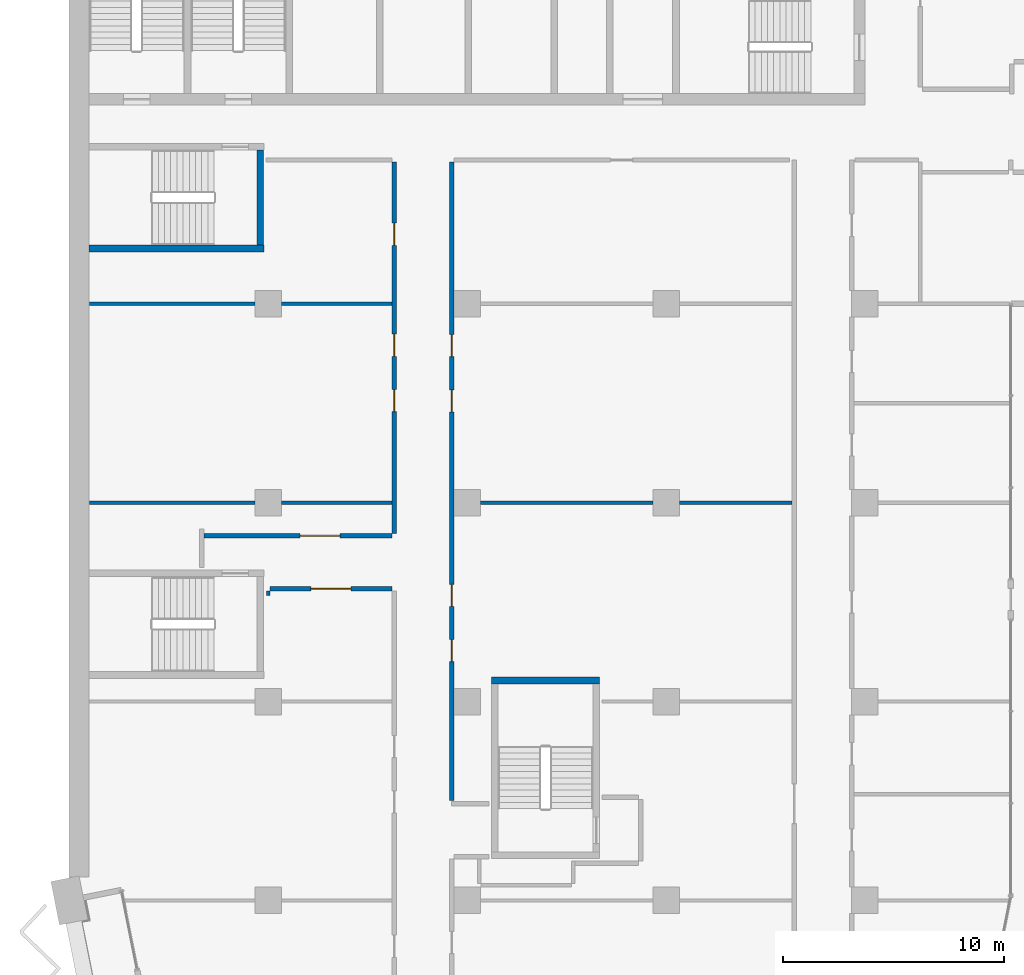
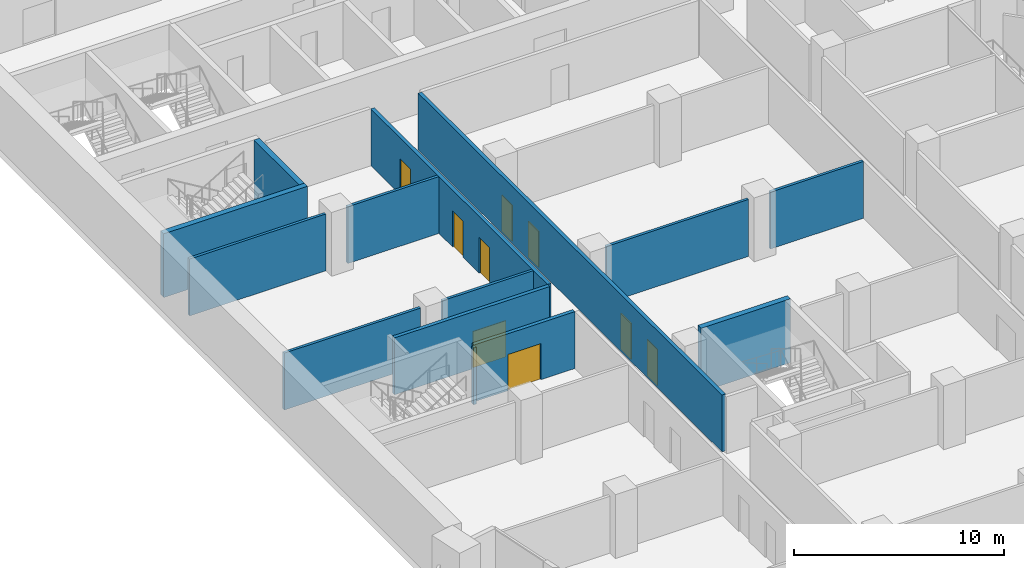
# One storey, part 10 of 22: 14 walls, 9 doors, 9 openings.
"""IFC4 building model written with IfcOpenShell, lengths in metres."""

import ifcopenshell
import ifcopenshell.guid

model = None  # the IFC model being written
_history = None  # IfcOwnerHistory: only IFC2X3 demands one
_inside = {}  # id of a spatial element -> (the spatial element, [elements in it])
_under = {}  # id of a project, library or spatial element -> (it, [spatial elements below it])
_declared = {}  # id of a project -> (the project, [libraries it declares])
_typed = {}  # id of a type object -> (the type object, [elements of that type])
_made_of = {}  # id of a material, layer set ... -> (it, [elements and type objects made of it])


def new_model(schema):
    """Start an empty IFC model of exactly this schema.

    Asked for "IFC4X3", IfcOpenShell would pick the latest addendum, in which some entities
    have other attributes; the version numbers below select the first issue.
    IFC2X3 requires an IfcOwnerHistory on every rooted entity: one is made here for all.
    """
    global model, _history
    if schema == "IFC4X3":
        model = ifcopenshell.file(schema_version=(4, 3, 0, 0))
    else:
        model = ifcopenshell.file(schema=schema)
    _inside.clear()
    _under.clear()
    _declared.clear()
    _typed.clear()
    _made_of.clear()
    _history = None
    if model.schema == "IFC2X3":
        org = make("IfcOrganization", Name="unknown")
        user = make(
            "IfcPersonAndOrganization",
            ThePerson=make("IfcPerson", FamilyName="unknown"),
            TheOrganization=org,
        )
        app = make(
            "IfcApplication",
            ApplicationDeveloper=org,
            Version="unknown",
            ApplicationFullName="unknown",
            ApplicationIdentifier="unknown",
        )
        _history = make(
            "IfcOwnerHistory",
            OwningUser=user,
            OwningApplication=app,
            ChangeAction="ADDED",
            CreationDate=0,
        )
    return model


def make(cls, **values):
    """One entity of the class cls with the attributes given. An attribute that is None is left unset."""
    return model.create_entity(
        cls, **{name: value for name, value in values.items() if value is not None}
    )


def rooted(cls, **values):
    """An entity with a GlobalId (a new one), such as an element, a storey or a relation."""
    return make(cls, GlobalId=ifcopenshell.guid.new(), OwnerHistory=_history, **values)


def si_unit(unit_type, name, prefix=None):
    """IfcSIUnit, for example si_unit("LENGTHUNIT", "METRE", prefix="MILLI")."""
    return make("IfcSIUnit", UnitType=unit_type, Prefix=prefix, Name=name)


def assignment(units):
    """IfcUnitAssignment: the units of a project."""
    return None if units is None else make("IfcUnitAssignment", Units=units)


def point(xyz):
    """IfcCartesianPoint."""
    return None if xyz is None else make("IfcCartesianPoint", Coordinates=xyz)


def direction(xyz):
    """IfcDirection."""
    return None if xyz is None else make("IfcDirection", DirectionRatios=xyz)


def frame(location, z_axis=None, x_axis=None):
    """IfcAxis2Placement3D, a coordinate frame: its origin and axes. An axis left out is left unset."""
    return make(
        "IfcAxis2Placement3D",
        Location=point(location),
        Axis=direction(z_axis),
        RefDirection=direction(x_axis),
    )


def frame_2d(location, x_axis=None):
    """IfcAxis2Placement2D, a coordinate frame in the plane: its origin and x axis."""
    return make(
        "IfcAxis2Placement2D", Location=point(location), RefDirection=direction(x_axis)
    )


def origin():
    """The frame at (0, 0, 0) with its axes left unset."""
    return frame((0.0, 0.0, 0.0))


def place(relative_to, where):
    """IfcLocalPlacement: puts the frame where relative to a parent placement (None: the world)."""
    return make(
        "IfcLocalPlacement", PlacementRelTo=relative_to, RelativePlacement=where
    )


def context(
    kind, dimensions, precision=None, world=None, true_north=None, identifier=None
):
    """IfcGeometricRepresentationContext, for example the 3D "Model" context."""
    return make(
        "IfcGeometricRepresentationContext",
        ContextIdentifier=identifier,
        ContextType=kind,
        CoordinateSpaceDimension=dimensions,
        Precision=precision,
        WorldCoordinateSystem=world,
        TrueNorth=true_north,
    )


def subcontext(parent, identifier, kind, view, scale=None):
    """IfcGeometricRepresentationSubContext, for example "Body" below "Model"."""
    return make(
        "IfcGeometricRepresentationSubContext",
        ContextIdentifier=identifier,
        ContextType=kind,
        ParentContext=parent,
        TargetScale=scale,
        TargetView=view,
    )


def project(units=None, contexts=None):
    """IfcProject with its units and contexts."""
    return rooted(
        "IfcProject",
        Name="project",
        RepresentationContexts=contexts,
        UnitsInContext=assignment(units),
    )


def spatial(cls, under=None, at=None, **own):
    """A site, building, storey or space (cls), placed at a placement, below another one or the project."""
    s = rooted(cls, ObjectPlacement=at, **own)
    if under is not None:
        _under.setdefault(under.id(), (under, []))[1].append(s)
    return s


def profile(cls, at=None, kind="AREA", **sizes):
    """A parametric profile (cls). Its sizes go by their IFC names, for example OverallWidth=200.0."""
    return make(cls, ProfileType=kind, Position=at, **sizes)


def rectangle(**sizes):
    """IfcRectangleProfileDef."""
    return profile("IfcRectangleProfileDef", **sizes)


def extrude(swept, where, along, depth):
    """IfcExtrudedAreaSolid: the profile swept, set in the frame where, extruded along a direction by depth."""
    return make(
        "IfcExtrudedAreaSolid",
        SweptArea=swept,
        Position=where,
        ExtrudedDirection=direction(along),
        Depth=depth,
    )


def shape(context_of_items, identifier, shape_type, items):
    """IfcShapeRepresentation: the items that make up one representation, for example the "Body"."""
    return make(
        "IfcShapeRepresentation",
        ContextOfItems=context_of_items,
        RepresentationIdentifier=identifier,
        RepresentationType=shape_type,
        Items=items,
    )


def material(Name=None, Category=None):
    """IfcMaterial."""
    return make("IfcMaterial", Name=Name, Category=Category)


def layer(
    of_material, thickness, ventilated=None, Name=None, Category=None, Priority=None
):
    """IfcMaterialLayer: one layer of a wall or slab, of a material (None: an air gap)."""
    return make(
        "IfcMaterialLayer",
        Material=of_material,
        LayerThickness=thickness,
        IsVentilated=ventilated,
        Name=Name,
        Category=Category,
        Priority=Priority,
    )


def layer_set(layers, Name=None):
    """IfcMaterialLayerSet."""
    return make("IfcMaterialLayerSet", MaterialLayers=layers, LayerSetName=Name)


def made_of(thing, what):
    """Note that an element or type object is made of a material, layer set ...; save() writes the relation."""
    if what is not None:
        _made_of.setdefault(what.id(), (what, []))[1].append(thing)
    return thing


def type_object(cls, material=None, **own):
    """A type object (cls), such as IfcWallType, which elements share."""
    return made_of(rooted(cls, **own), material)


def element(
    cls,
    number,
    at=None,
    inside=None,
    cuts=None,
    type_object=None,
    material=None,
    context=None,
    identifier="Body",
    shape_type=None,
    held_by="IfcProductDefinitionShape",
    body=None,
    shapes=None,
    **own,
):
    """One element of the class cls, such as IfcWall. Its Tag is "e" and its number.

    at: its placement. inside: the storey or other place that contains it. cuts: it is an
    opening in that element (IfcRelVoidsElement). A single representation is given by context,
    identifier, shape_type and body (its items); several are given by shapes. held_by: the class
    of the entity that holds the representations. save() writes the other relations.
    """
    e = rooted(cls, Tag="e%d" % number, ObjectPlacement=at, **own)
    if body is not None:
        shapes = [shape(context, identifier, shape_type, body)]
    if shapes is not None:
        e.Representation = make(held_by, Representations=shapes)
    if inside is not None:
        _inside.setdefault(inside.id(), (inside, []))[1].append(e)
    if cuts is not None:
        rooted(
            "IfcRelVoidsElement", RelatingBuildingElement=cuts, RelatedOpeningElement=e
        )
    if type_object is not None:
        _typed.setdefault(type_object.id(), (type_object, []))[1].append(e)
    return made_of(e, material)


def fill(opening, filler):
    """IfcRelFillsElement: the door or window that sits in an opening."""
    return rooted(
        "IfcRelFillsElement",
        RelatingOpeningElement=opening,
        RelatedBuildingElement=filler,
    )


def aggregate(whole, parts):
    """IfcRelAggregates: a whole, such as a stair, and the parts it consists of."""
    return rooted("IfcRelAggregates", RelatingObject=whole, RelatedObjects=parts)


def save(model, path):
    """Write the relations noted so far, then the file.

    IfcRelAggregates (storeys below a building ...), IfcRelContainedInSpatialStructure (elements
    in a storey), IfcRelDefinesByType, IfcRelAssociatesMaterial and IfcRelDeclares: one each for
    every whole, place, type object, material and project.
    """
    for whole, parts in _under.values():
        aggregate(whole, parts)
    for where, things in _inside.values():
        rooted(
            "IfcRelContainedInSpatialStructure",
            RelatedElements=things,
            RelatingStructure=where,
        )
    for kind, things in _typed.values():
        rooted("IfcRelDefinesByType", RelatedObjects=things, RelatingType=kind)
    for what, things in _made_of.values():
        rooted("IfcRelAssociatesMaterial", RelatedObjects=things, RelatingMaterial=what)
    for by, libraries in _declared.values():
        rooted("IfcRelDeclares", RelatingContext=by, RelatedDefinitions=libraries)
    model.write(path)


model = new_model("IFC4")

# Units and contexts
model_context = context("Model", 3, precision=1e-05, world=origin(), true_north=direction((0.0, 1.0)))
body_context = subcontext(model_context, "Body", "Model", "MODEL_VIEW")
ifc_project = project(units=[si_unit("LENGTHUNIT", "METRE"), si_unit("AREAUNIT", "SQUARE_METRE"), si_unit("VOLUMEUNIT", "CUBIC_METRE"), si_unit("PLANEANGLEUNIT", "RADIAN"), si_unit("MASSUNIT", "GRAM", prefix="KILO")], contexts=[model_context])

# Site, building, storey
site_placement = place(None, origin())
site = spatial("IfcSite", under=ifc_project, at=site_placement, CompositionType="ELEMENT")
building_placement = place(site_placement, origin())
building = spatial("IfcBuilding", under=site, at=building_placement, Name="Hunhe Ridgeline Campus", CompositionType="ELEMENT")
storey_placement = place(building_placement, frame((0.0, 0.0, 137.5)))
storey = spatial("IfcBuildingStorey", under=building, at=storey_placement, Name="L34", CompositionType="ELEMENT", Elevation=137.5)

# Wall, opening, door
ifc_material_1 = material(Name="Gypsum board partition")
ifc_layer_1 = layer(ifc_material_1, 0.199951171875)
ifc_layer_set_1 = layer_set([ifc_layer_1], Name="Corridor partition 200 gypsum board on steel studs")
wall_type_1 = type_object("IfcWallType", Name="Corridor partition 200 gypsum board on steel studs", PredefinedType="PARTITIONING", material=ifc_layer_set_1)
wall_1_placement = place(storey_placement, frame((14.60009765625, 41.10009765625, 0.0), z_axis=(0.0, 0.0, 1.0), x_axis=(-1.0, 0.0, 0.0)))
wall_1 = element("IfcWall", 1, at=wall_1_placement, inside=storey, type_object=wall_type_1, Name="F-L34-wall-023", PredefinedType="PARTITIONING", context=body_context, shape_type="SweptSolid", body=[
    extrude(rectangle(XDim=5.525146484375, YDim=0.199951171875, at=frame_2d((2.7626953125, 0.0))), origin(), (0.0, 0.0, 1.0), 3.300048828125),
])
opening_1_placement = place(wall_1_placement, frame((1.862548828125, 0.0, 0.0)))
opening_1 = element("IfcOpeningElement", 2, at=opening_1_placement, cuts=wall_1, Name="Opening RD2-019", PredefinedType="OPENING", context=body_context, shape_type="SweptSolid", body=[
    extrude(rectangle(XDim=1.800048828125, YDim=2.10009765625, at=frame_2d((0.89990234375, 1.050048828125))), frame((0.0, 0.10009765625, 0.0), z_axis=(0.0, -1.0, 0.0), x_axis=(1.0, 0.0, 0.0)), (0.0, 0.0, 1.0), 0.199951171875),
])
ifc_material_2 = material(Name="Timber door leaf", Category="wood")
door_type_1 = type_object("IfcDoorType", Name="Double fire door 1800x2100 timber FD60", OperationType="DOUBLE_DOOR_SINGLE_SWING", PredefinedType="DOOR", material=ifc_material_2)
door_1_placement = place(opening_1_placement, origin())
door_1 = element("IfcDoor", 3, at=door_1_placement, inside=storey, type_object=door_type_1, Name="F-L34-door-019", OperationType="DOUBLE_DOOR_SINGLE_SWING", OverallHeight=2.10009765625, OverallWidth=1.800048828125, PredefinedType="DOOR", context=body_context, shape_type="SweptSolid", body=[
    extrude(rectangle(XDim=1.800048828125, YDim=2.10009765625, at=frame_2d((0.89990234375, 1.050048828125))), frame((0.0, 0.02490234375, 0.0), z_axis=(0.0, -1.0, 0.0), x_axis=(1.0, 0.0, 0.0)), (0.0, 0.0, 1.0), 0.050048828125),
])
fill(opening_1, door_1)

wall_2_placement = place(storey_placement, frame((6.10009765625, 43.5, 0.0), z_axis=(0.0, 0.0, 1.0), x_axis=(1.0, 0.0, 0.0)))
wall_2 = element("IfcWall", 4, at=wall_2_placement, inside=storey, type_object=wall_type_1, Name="F-L34-wall-024", PredefinedType="PARTITIONING", context=body_context, shape_type="SweptSolid", body=[
    extrude(rectangle(XDim=8.5, YDim=0.199951171875, at=frame_2d((4.25, 0.0))), origin(), (0.0, 0.0, 1.0), 3.300048828125),
])
opening_2_placement = place(wall_2_placement, frame((4.35009765625, 0.0, 0.0)))
opening_2 = element("IfcOpeningElement", 5, at=opening_2_placement, cuts=wall_2, Name="Opening RD2-020", PredefinedType="OPENING", context=body_context, shape_type="SweptSolid", body=[
    extrude(rectangle(XDim=1.800048828125, YDim=2.10009765625, at=frame_2d((0.89990234375, 1.050048828125))), frame((0.0, 0.10009765625, 0.0), z_axis=(0.0, -1.0, 0.0), x_axis=(1.0, 0.0, 0.0)), (0.0, 0.0, 1.0), 0.199951171875),
])
door_2_placement = place(opening_2_placement, origin())
door_2 = element("IfcDoor", 6, at=door_2_placement, inside=storey, type_object=door_type_1, Name="F-L34-door-020", OperationType="DOUBLE_DOOR_SINGLE_SWING", OverallHeight=2.10009765625, OverallWidth=1.800048828125, PredefinedType="DOOR", context=body_context, shape_type="SweptSolid", body=[
    extrude(rectangle(XDim=1.800048828125, YDim=2.10009765625, at=frame_2d((0.89990234375, 1.050048828125))), frame((0.0, 0.02490234375, 0.0), z_axis=(0.0, -1.0, 0.0), x_axis=(1.0, 0.0, 0.0)), (0.0, 0.0, 1.0), 0.050048828125),
])
fill(opening_2, door_2)

# Wall, openings, doors
wall_3_placement = place(storey_placement, frame((14.699951171875, 43.60009765625, 0.0), z_axis=(0.0, 0.0, 1.0), x_axis=(0.0, 1.0, 0.0)))
wall_3 = element("IfcWall", 7, at=wall_3_placement, inside=storey, type_object=wall_type_1, Name="F-L34-wall-062", PredefinedType="PARTITIONING", context=body_context, shape_type="SweptSolid", body=[
    extrude(rectangle(XDim=16.7998046875, YDim=0.199951171875, at=frame_2d((8.39990234375, 0.0))), origin(), (0.0, 0.0, 1.0), 3.300048828125),
])
opening_3_placement = place(wall_3_placement, frame((5.517822265625, 0.0, 0.0)))
opening_3 = element("IfcOpeningElement", 8, at=opening_3_placement, cuts=wall_3, Name="Opening RD1-022", PredefinedType="OPENING", context=body_context, shape_type="SweptSolid", body=[
    extrude(rectangle(XDim=1.0, YDim=2.10009765625, at=frame_2d((0.5, 1.050048828125))), frame((0.0, 0.10009765625, 0.0), z_axis=(0.0, -1.0, 0.0), x_axis=(1.0, 0.0, 0.0)), (0.0, 0.0, 1.0), 0.199951171875),
])
opening_4_placement = place(wall_3_placement, frame((8.017822265625, 0.0, 0.0)))
opening_4 = element("IfcOpeningElement", 9, at=opening_4_placement, cuts=wall_3, Name="Opening RD1-025", PredefinedType="OPENING", context=body_context, shape_type="SweptSolid", body=[
    extrude(rectangle(XDim=1.0, YDim=2.10009765625, at=frame_2d((0.5, 1.050048828125))), frame((0.0, 0.10009765625, 0.0), z_axis=(0.0, -1.0, 0.0), x_axis=(1.0, 0.0, 0.0)), (0.0, 0.0, 1.0), 0.199951171875),
])
opening_5_placement = place(wall_3_placement, frame((13.040283203125, 0.0, 0.0)))
opening_5 = element("IfcOpeningElement", 10, at=opening_5_placement, cuts=wall_3, Name="Opening RD1-027", PredefinedType="OPENING", context=body_context, shape_type="SweptSolid", body=[
    extrude(rectangle(XDim=1.0, YDim=2.10009765625, at=frame_2d((0.5, 1.050048828125))), frame((0.0, 0.10009765625, 0.0), z_axis=(0.0, -1.0, 0.0), x_axis=(1.0, 0.0, 0.0)), (0.0, 0.0, 1.0), 0.199951171875),
])
door_type_2 = type_object("IfcDoorType", Name="Single fire door 1000x2100 timber FD60", OperationType="NOTDEFINED", PredefinedType="DOOR", material=ifc_material_2)
door_3_placement = place(opening_3_placement, frame((1.0, 0.0, 0.0), z_axis=(0.0, 0.0, 1.0), x_axis=(-1.0, 0.0, 0.0)))
door_3 = element("IfcDoor", 11, at=door_3_placement, inside=storey, type_object=door_type_2, Name="F-L34-door-022", OperationType="SINGLE_SWING_LEFT", OverallHeight=2.10009765625, OverallWidth=1.0, PredefinedType="DOOR", context=body_context, shape_type="SweptSolid", body=[
    extrude(rectangle(XDim=1.0, YDim=2.10009765625, at=frame_2d((0.5, 1.050048828125))), frame((0.0, 0.02490234375, 0.0), z_axis=(0.0, -1.0, 0.0), x_axis=(1.0, 0.0, 0.0)), (0.0, 0.0, 1.0), 0.050048828125),
])
fill(opening_3, door_3)
door_4_placement = place(opening_4_placement, frame((1.0, 0.0, 0.0), z_axis=(0.0, 0.0, 1.0), x_axis=(-1.0, 0.0, 0.0)))
door_4 = element("IfcDoor", 12, at=door_4_placement, inside=storey, type_object=door_type_2, Name="F-L34-door-025", OperationType="SINGLE_SWING_LEFT", OverallHeight=2.10009765625, OverallWidth=1.0, PredefinedType="DOOR", context=body_context, shape_type="SweptSolid", body=[
    extrude(rectangle(XDim=1.0, YDim=2.10009765625, at=frame_2d((0.5, 1.050048828125))), frame((0.0, 0.02490234375, 0.0), z_axis=(0.0, -1.0, 0.0), x_axis=(1.0, 0.0, 0.0)), (0.0, 0.0, 1.0), 0.050048828125),
])
fill(opening_4, door_4)
door_5_placement = place(opening_5_placement, origin())
door_5 = element("IfcDoor", 13, at=door_5_placement, inside=storey, type_object=door_type_2, Name="F-L34-door-027", OperationType="SINGLE_SWING_RIGHT", OverallHeight=2.10009765625, OverallWidth=1.0, PredefinedType="DOOR", context=body_context, shape_type="SweptSolid", body=[
    extrude(rectangle(XDim=1.0, YDim=2.10009765625, at=frame_2d((0.5, 1.050048828125))), frame((0.0, 0.02490234375, 0.0), z_axis=(0.0, -1.0, 0.0), x_axis=(1.0, 0.0, 0.0)), (0.0, 0.0, 1.0), 0.050048828125),
])
fill(opening_5, door_5)

wall_4_placement = place(storey_placement, frame((17.300048828125, 60.39990234375, 0.0), z_axis=(0.0, 0.0, 1.0), x_axis=(0.0, -1.0, 0.0)))
wall_4 = element("IfcWall", 14, at=wall_4_placement, inside=storey, type_object=wall_type_1, Name="F-L34-wall-064", PredefinedType="PARTITIONING", context=body_context, shape_type="SweptSolid", body=[
    extrude(rectangle(XDim=28.879150390625, YDim=0.199951171875, at=frame_2d((14.439453125, 0.0))), origin(), (0.0, 0.0, 1.0), 3.300048828125),
])
opening_6_placement = place(wall_4_placement, frame((21.59912109375, 0.0, 0.0)))
opening_6 = element("IfcOpeningElement", 15, at=opening_6_placement, cuts=wall_4, Name="Opening RD1-016", PredefinedType="OPENING", context=body_context, shape_type="SweptSolid", body=[
    extrude(rectangle(XDim=1.0, YDim=2.10009765625, at=frame_2d((0.5, 1.050048828125))), frame((0.0, 0.10009765625, 0.0), z_axis=(0.0, -1.0, 0.0), x_axis=(1.0, 0.0, 0.0)), (0.0, 0.0, 1.0), 0.199951171875),
])
opening_7_placement = place(wall_4_placement, frame((19.09912109375, 0.0, 0.0)))
opening_7 = element("IfcOpeningElement", 16, at=opening_7_placement, cuts=wall_4, Name="Opening RD1-018", PredefinedType="OPENING", context=body_context, shape_type="SweptSolid", body=[
    extrude(rectangle(XDim=1.0, YDim=2.10009765625, at=frame_2d((0.5, 1.050048828125))), frame((0.0, 0.10009765625, 0.0), z_axis=(0.0, -1.0, 0.0), x_axis=(1.0, 0.0, 0.0)), (0.0, 0.0, 1.0), 0.199951171875),
])
opening_8_placement = place(wall_4_placement, frame((10.29833984375, 0.0, 0.0)))
opening_8 = element("IfcOpeningElement", 17, at=opening_8_placement, cuts=wall_4, Name="Opening RD1-023", PredefinedType="OPENING", context=body_context, shape_type="SweptSolid", body=[
    extrude(rectangle(XDim=1.0, YDim=2.10009765625, at=frame_2d((0.5, 1.050048828125))), frame((0.0, 0.10009765625, 0.0), z_axis=(0.0, -1.0, 0.0), x_axis=(1.0, 0.0, 0.0)), (0.0, 0.0, 1.0), 0.199951171875),
])
opening_9_placement = place(wall_4_placement, frame((7.79833984375, 0.0, 0.0)))
opening_9 = element("IfcOpeningElement", 18, at=opening_9_placement, cuts=wall_4, Name="Opening RD1-026", PredefinedType="OPENING", context=body_context, shape_type="SweptSolid", body=[
    extrude(rectangle(XDim=1.0, YDim=2.10009765625, at=frame_2d((0.5, 1.050048828125))), frame((0.0, 0.10009765625, 0.0), z_axis=(0.0, -1.0, 0.0), x_axis=(1.0, 0.0, 0.0)), (0.0, 0.0, 1.0), 0.199951171875),
])
door_6_placement = place(opening_6_placement, frame((1.0, 0.0, 0.0), z_axis=(0.0, 0.0, 1.0), x_axis=(-1.0, 0.0, 0.0)))
door_6 = element("IfcDoor", 19, at=door_6_placement, inside=storey, type_object=door_type_2, Name="F-L34-door-016", OperationType="SINGLE_SWING_LEFT", OverallHeight=2.10009765625, OverallWidth=1.0, PredefinedType="DOOR", context=body_context, shape_type="SweptSolid", body=[
    extrude(rectangle(XDim=1.0, YDim=2.10009765625, at=frame_2d((0.5, 1.050048828125))), frame((0.0, 0.02490234375, 0.0), z_axis=(0.0, -1.0, 0.0), x_axis=(1.0, 0.0, 0.0)), (0.0, 0.0, 1.0), 0.050048828125),
])
fill(opening_6, door_6)
door_7_placement = place(opening_7_placement, frame((1.0, 0.0, 0.0), z_axis=(0.0, 0.0, 1.0), x_axis=(-1.0, 0.0, 0.0)))
door_7 = element("IfcDoor", 20, at=door_7_placement, inside=storey, type_object=door_type_2, Name="F-L34-door-018", OperationType="SINGLE_SWING_RIGHT", OverallHeight=2.10009765625, OverallWidth=1.0, PredefinedType="DOOR", context=body_context, shape_type="SweptSolid", body=[
    extrude(rectangle(XDim=1.0, YDim=2.10009765625, at=frame_2d((0.5, 1.050048828125))), frame((0.0, 0.02490234375, 0.0), z_axis=(0.0, -1.0, 0.0), x_axis=(1.0, 0.0, 0.0)), (0.0, 0.0, 1.0), 0.050048828125),
])
fill(opening_7, door_7)
door_8_placement = place(opening_8_placement, frame((1.0, 0.0, 0.0), z_axis=(0.0, 0.0, 1.0), x_axis=(-1.0, 0.0, 0.0)))
door_8 = element("IfcDoor", 21, at=door_8_placement, inside=storey, type_object=door_type_2, Name="F-L34-door-023", OperationType="SINGLE_SWING_LEFT", OverallHeight=2.10009765625, OverallWidth=1.0, PredefinedType="DOOR", context=body_context, shape_type="SweptSolid", body=[
    extrude(rectangle(XDim=1.0, YDim=2.10009765625, at=frame_2d((0.5, 1.050048828125))), frame((0.0, 0.02490234375, 0.0), z_axis=(0.0, -1.0, 0.0), x_axis=(1.0, 0.0, 0.0)), (0.0, 0.0, 1.0), 0.050048828125),
])
fill(opening_8, door_8)
door_9_placement = place(opening_9_placement, frame((1.0, 0.0, 0.0), z_axis=(0.0, 0.0, 1.0), x_axis=(-1.0, 0.0, 0.0)))
door_9 = element("IfcDoor", 22, at=door_9_placement, inside=storey, type_object=door_type_2, Name="F-L34-door-026", OperationType="SINGLE_SWING_RIGHT", OverallHeight=2.10009765625, OverallWidth=1.0, PredefinedType="DOOR", context=body_context, shape_type="SweptSolid", body=[
    extrude(rectangle(XDim=1.0, YDim=2.10009765625, at=frame_2d((0.5, 1.050048828125))), frame((0.0, 0.02490234375, 0.0), z_axis=(0.0, -1.0, 0.0), x_axis=(1.0, 0.0, 0.0)), (0.0, 0.0, 1.0), 0.050048828125),
])
fill(opening_9, door_9)

# Walls
ifc_layer_2 = layer(ifc_material_1, 0.14990234375)
ifc_layer_set_2 = layer_set([ifc_layer_2], Name="Room partition 150 gypsum board on steel studs")
wall_type_2 = type_object("IfcWallType", Name="Room partition 150 gypsum board on steel studs", PredefinedType="PARTITIONING", material=ifc_layer_set_2)
wall_5_placement = place(storey_placement, frame((0.919921875, 45.0, 0.0), z_axis=(0.0, 0.0, 1.0), x_axis=(1.0, 0.0, 0.0)))
element("IfcWall", 23, at=wall_5_placement, inside=storey, type_object=wall_type_2, Name="F-L34-wall-025", PredefinedType="PARTITIONING", context=body_context, shape_type="SweptSolid", body=[
    extrude(rectangle(XDim=7.47998046875, YDim=0.14990234375, at=frame_2d((3.739990234375, 0.0))), origin(), (0.0, 0.0, 1.0), 3.300048828125),
])
wall_6_placement = place(storey_placement, frame((9.60009765625, 45.0, 0.0), z_axis=(0.0, 0.0, 1.0), x_axis=(1.0, 0.0, 0.0)))
element("IfcWall", 24, at=wall_6_placement, inside=storey, type_object=wall_type_2, Name="F-L34-wall-026", PredefinedType="PARTITIONING", context=body_context, shape_type="SweptSolid", body=[
    extrude(rectangle(XDim=5.0, YDim=0.14990234375, at=frame_2d((2.5, 0.0))), origin(), (0.0, 0.0, 1.0), 3.300048828125),
])
wall_7_placement = place(storey_placement, frame((18.60009765625, 45.0, 0.0), z_axis=(0.0, 0.0, 1.0), x_axis=(1.0, 0.0, 0.0)))
element("IfcWall", 25, at=wall_7_placement, inside=storey, type_object=wall_type_2, Name="F-L34-wall-027", PredefinedType="PARTITIONING", context=body_context, shape_type="SweptSolid", body=[
    extrude(rectangle(XDim=7.7998046875, YDim=0.14990234375, at=frame_2d((3.89990234375, 0.0))), origin(), (0.0, 0.0, 1.0), 3.300048828125),
])
wall_8_placement = place(storey_placement, frame((27.60009765625, 45.0, 0.0), z_axis=(0.0, 0.0, 1.0), x_axis=(1.0, 0.0, 0.0)))
element("IfcWall", 26, at=wall_8_placement, inside=storey, type_object=wall_type_2, Name="F-L34-wall-028", PredefinedType="PARTITIONING", context=body_context, shape_type="SweptSolid", body=[
    extrude(rectangle(XDim=5.099853515625, YDim=0.14990234375, at=frame_2d((2.5498046875, 0.0))), origin(), (0.0, 0.0, 1.0), 3.300048828125),
])
wall_9_placement = place(storey_placement, frame((0.919921875, 54.0, 0.0), z_axis=(0.0, 0.0, 1.0), x_axis=(1.0, 0.0, 0.0)))
element("IfcWall", 27, at=wall_9_placement, inside=storey, type_object=wall_type_2, Name="F-L34-wall-031", PredefinedType="PARTITIONING", context=body_context, shape_type="SweptSolid", body=[
    extrude(rectangle(XDim=7.47998046875, YDim=0.14990234375, at=frame_2d((3.739990234375, 0.0))), origin(), (0.0, 0.0, 1.0), 3.300048828125),
])
wall_10_placement = place(storey_placement, frame((9.60009765625, 54.0, 0.0), z_axis=(0.0, 0.0, 1.0), x_axis=(1.0, 0.0, 0.0)))
element("IfcWall", 28, at=wall_10_placement, inside=storey, type_object=wall_type_2, Name="F-L34-wall-032", PredefinedType="PARTITIONING", context=body_context, shape_type="SweptSolid", body=[
    extrude(rectangle(XDim=5.0, YDim=0.14990234375, at=frame_2d((2.5, 0.0))), origin(), (0.0, 0.0, 1.0), 3.300048828125),
])
wall_11_placement = place(storey_placement, frame((9.0, 41.0, 0.0), z_axis=(0.0, 0.0, 1.0), x_axis=(0.0, -1.0, 0.0)))
element("IfcWall", 29, at=wall_11_placement, inside=storey, type_object=wall_type_2, Name="F-L34-wall-060", PredefinedType="PARTITIONING", context=body_context, shape_type="SweptSolid", body=[
    extrude(rectangle(XDim=0.199951171875, YDim=0.14990234375, at=frame_2d((0.10009765625, 0.0))), origin(), (0.0, 0.0, 1.0), 3.300048828125),
])
ifc_material_3 = material(Name="Concrete C70", Category="concrete")
ifc_layer_3 = layer(ifc_material_3, 0.300048828125)
ifc_layer_set_3 = layer_set([ifc_layer_3], Name="Stair wall 300 reinforced concrete C70")
wall_type_3 = type_object("IfcWallType", Name="Stair wall 300 reinforced concrete C70", PredefinedType="SOLIDWALL", material=ifc_layer_set_3)
wall_12_placement = place(storey_placement, frame((19.10009765625, 36.949951171875, -0.39990234375), z_axis=(0.0, 0.0, 1.0), x_axis=(1.0, 0.0, 0.0)))
element("IfcWall", 30, at=wall_12_placement, inside=storey, type_object=wall_type_3, Name="L34 core wall 2", PredefinedType="SOLIDWALL", context=body_context, shape_type="SweptSolid", body=[
    extrude(rectangle(XDim=4.89990234375, YDim=0.300048828125, at=frame_2d((2.449951171875, 0.0))), origin(), (0.0, 0.0, 1.0), 3.699951171875),
])
wall_13_placement = place(storey_placement, frame((0.89990234375, 56.5, -0.39990234375), z_axis=(0.0, 0.0, 1.0), x_axis=(1.0, 0.0, 0.0)))
element("IfcWall", 31, at=wall_13_placement, inside=storey, type_object=wall_type_3, Name="L34 core wall 5", PredefinedType="SOLIDWALL", context=body_context, shape_type="SweptSolid", body=[
    extrude(rectangle(XDim=7.900146484375, YDim=0.300048828125, at=frame_2d((3.9501953125, 0.0))), origin(), (0.0, 0.0, 1.0), 3.699951171875),
])
wall_14_placement = place(storey_placement, frame((8.64990234375, 56.64990234375, -0.39990234375), z_axis=(0.0, 0.0, 1.0), x_axis=(0.0, 1.0, 0.0)))
element("IfcWall", 32, at=wall_14_placement, inside=storey, type_object=wall_type_3, Name="L34 core wall 37", PredefinedType="SOLIDWALL", context=body_context, shape_type="SweptSolid", body=[
    extrude(rectangle(XDim=4.300048828125, YDim=0.300048828125, at=frame_2d((2.14990234375, 0.0))), origin(), (0.0, 0.0, 1.0), 3.699951171875),
])

save(model, "model.ifc")
